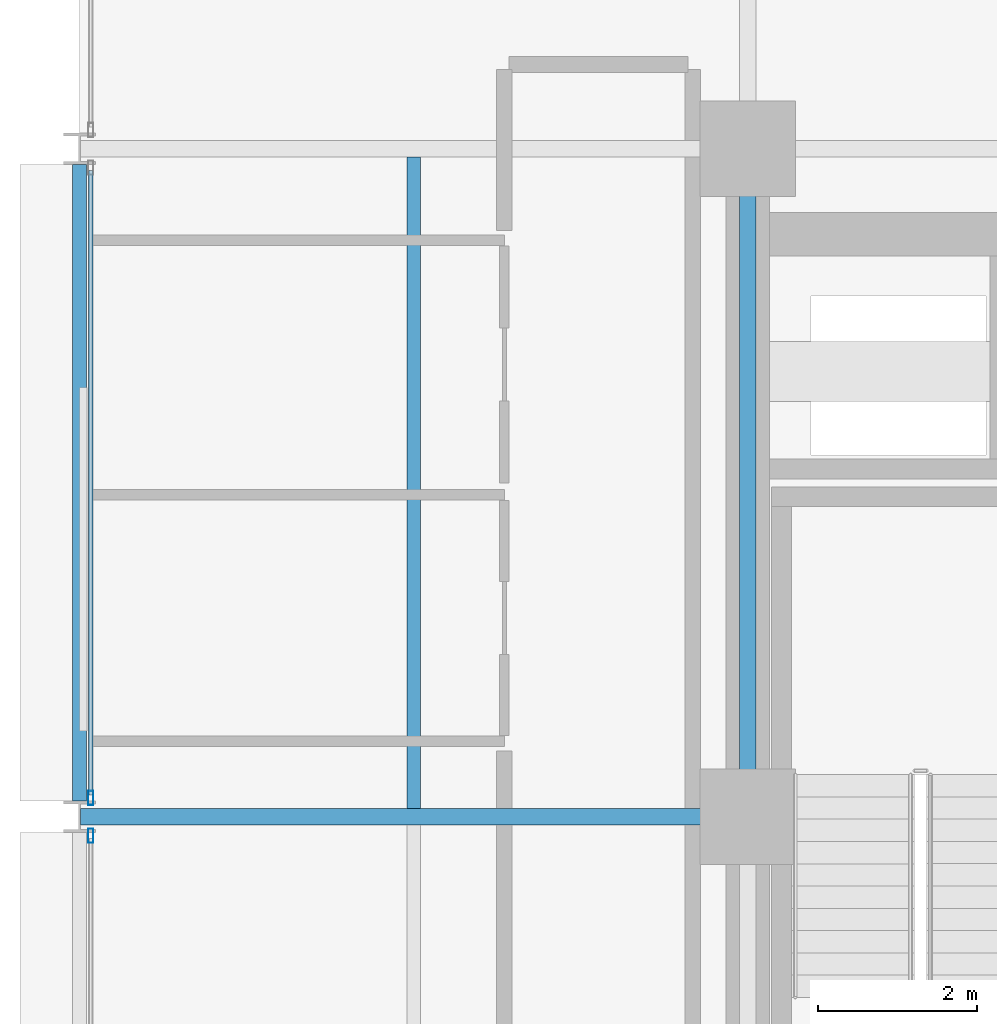
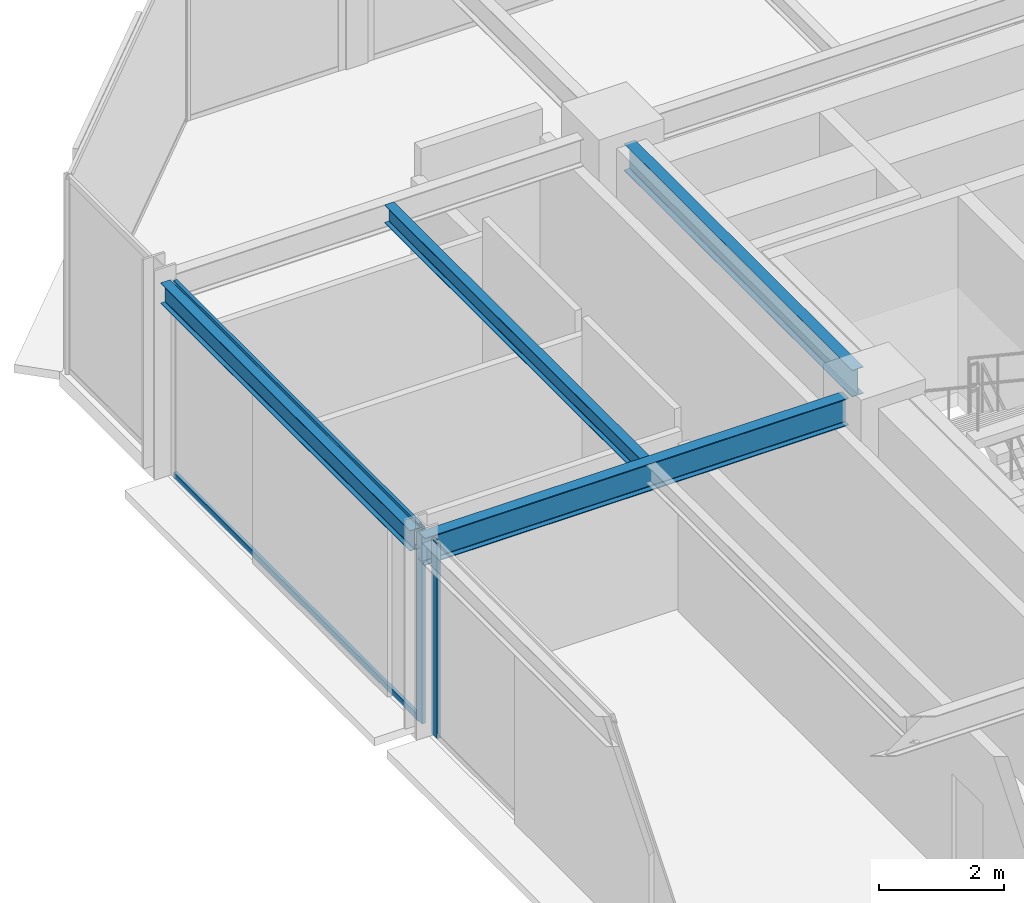
# One storey, part 23 of 39: 4 beams, 4 members, 2 elements without a shape of their own.
"""IFC4 building model written with IfcOpenShell, lengths in metres."""

from ifc_helpers import new_model, si_unit, direction, frame, origin, origin_2d, place, context, subcontext, project, spatial, hollow_rectangle, i_section, extrude, material, layer, layer_set, material_profile, profile_set, type_object, element, aggregate, save


model = new_model("IFC4")

# Units and contexts
model_context = context("Model", 3, precision=1e-05, world=origin(), true_north=direction((0.0, 1.0)))
body_context = subcontext(model_context, "Body", "Model", "MODEL_VIEW")
ifc_project = project(units=[si_unit("LENGTHUNIT", "METRE"), si_unit("AREAUNIT", "SQUARE_METRE"), si_unit("VOLUMEUNIT", "CUBIC_METRE"), si_unit("PLANEANGLEUNIT", "RADIAN"), si_unit("MASSUNIT", "GRAM", prefix="KILO")], contexts=[model_context])

# Site, building, storey
site_placement = place(None, origin())
site = spatial("IfcSite", under=ifc_project, at=site_placement, CompositionType="ELEMENT")
building_placement = place(site_placement, origin())
building = spatial("IfcBuilding", under=site, at=building_placement, Name="Nerrivon Quay Data Exchange", CompositionType="ELEMENT")
storey_placement = place(building_placement, frame((0.0, 0.0, 104.89990234375)))
storey = spatial("IfcBuildingStorey", under=building, at=storey_placement, Name="L24", CompositionType="ELEMENT", Elevation=104.89990234375)

# Beams
ifc_material_1 = material(Name="Steel Grade 350", Category="steel")
ifc_material_profile_1 = material_profile(ifc_material_1, i_section(OverallWidth=0.208984375, OverallDepth=0.532958984375, WebThickness=0.01025390625, FlangeThickness=0.015625, FilletRadius=0.013916015625, at=origin_2d()), Name="530UB92.4")
ifc_profile_set_1 = profile_set([ifc_material_profile_1], Name="Steel Grade 350")
beam_type_1 = type_object("IfcBeamType", Name="BM-G3-530UB92", PredefinedType="BEAM", material=ifc_profile_set_1)
beam_1_placement = place(storey_placement, frame((0.012451171875, 33.60009765625, 3.55859375), z_axis=(1.0, 0.0, 0.0), x_axis=(0.0, 1.0, 0.0)))
element("IfcBeam", 1, at=beam_1_placement, inside=storey, type_object=beam_type_1, Name="L24 EW Girder Y=33.6 (0.0..8.4)", PredefinedType="BEAM", context=body_context, shape_type="SweptSolid", body=[
    extrude(i_section(OverallWidth=0.208984375, OverallDepth=0.532958984375, WebThickness=0.01025390625, FlangeThickness=0.015625, FilletRadius=0.013916015625, at=origin_2d()), origin(), (0.0, 0.0, 1.0), 7.84765625),
])
ifc_material_profile_2 = material_profile(ifc_material_1, i_section(OverallWidth=0.208984375, OverallDepth=0.528076171875, WebThickness=0.009521484375, FlangeThickness=0.01318359375, FilletRadius=0.013916015625, at=origin_2d()), Name="530UB82.0")
ifc_profile_set_2 = profile_set([ifc_material_profile_2], Name="Steel Grade 350")
beam_type_2 = type_object("IfcBeamType", Name="BM-G4-530UB82", PredefinedType="BEAM", material=ifc_profile_set_2)
beam_2_placement = place(storey_placement, frame((8.39990234375, 34.139892578125, 3.56103515625), z_axis=(0.0, 1.0, 0.0), x_axis=(-1.0, 0.0, 0.0)))
element("IfcBeam", 2, at=beam_2_placement, inside=storey, type_object=beam_type_2, Name="L24 NS Girder X=8.4 (33.6..42.0)", PredefinedType="BEAM", context=body_context, shape_type="SweptSolid", body=[
    extrude(i_section(OverallWidth=0.208984375, OverallDepth=0.528076171875, WebThickness=0.009521484375, FlangeThickness=0.01318359375, FilletRadius=0.013916015625, at=origin_2d()), origin(), (0.0, 0.0, 1.0), 7.320068359375),
])
ifc_material_profile_3 = material_profile(ifc_material_1, i_section(OverallWidth=0.1708984375, OverallDepth=0.35595703125, WebThickness=0.00732421875, FlangeThickness=0.011474609375, FilletRadius=0.011474609375, at=origin_2d()), Name="360UB50.7")
ifc_profile_set_3 = profile_set([ifc_material_profile_3], Name="Steel Grade 350")
beam_type_3 = type_object("IfcBeamType", Name="BM-J4-360UB51", PredefinedType="JOIST", material=ifc_profile_set_3)
beam_3_placement = place(storey_placement, frame((4.199951171875, 33.70458984375, 3.647216796875), z_axis=(0.0, 1.0, 0.0), x_axis=(-1.0, 0.0, 0.0)))
element("IfcBeam", 3, at=beam_3_placement, inside=storey, type_object=beam_type_3, Name="L24 Secondary Joist X=4.2 (33.6..42.0)", PredefinedType="JOIST", context=body_context, shape_type="SweptSolid", body=[
    extrude(i_section(OverallWidth=0.1708984375, OverallDepth=0.35595703125, WebThickness=0.00732421875, FlangeThickness=0.011474609375, FilletRadius=0.011474609375, at=origin_2d()), origin(), (0.0, 0.0, 1.0), 8.19091796875),
])
ifc_material_profile_4 = material_profile(ifc_material_1, i_section(OverallWidth=0.177978515625, OverallDepth=0.403076171875, WebThickness=0.007568359375, FlangeThickness=0.010986328125, FilletRadius=0.011474609375, at=origin_2d()), Name="410UB53.7")
ifc_profile_set_4 = profile_set([ifc_material_profile_4], Name="Steel Grade 350")
beam_type_4 = type_object("IfcBeamType", Name="BM-SP2-410UB54", PredefinedType="SPANDREL", material=ifc_profile_set_4)
beam_4_placement = place(storey_placement, frame((0.0, 33.800048828125, 3.62353515625), z_axis=(0.0, 1.0, 0.0), x_axis=(-1.0, 0.0, 0.0)))
element("IfcBeam", 4, at=beam_4_placement, inside=storey, type_object=beam_type_4, Name="L24 NS Girder X=0.0 (33.6..42.0)", PredefinedType="SPANDREL", context=body_context, shape_type="SweptSolid", body=[
    extrude(i_section(OverallWidth=0.177978515625, OverallDepth=0.403076171875, WebThickness=0.007568359375, FlangeThickness=0.010986328125, FilletRadius=0.011474609375, at=origin_2d()), origin(), (0.0, 0.0, 1.0), 8.0),
])

# Curtain wall, member
ifc_material_2 = material(Name="Anodised aluminium 6063-T6", Category="aluminium")
ifc_layer = layer(ifc_material_2, 0.2099609375)
ifc_layer_set = layer_set([ifc_layer], Name="Anodised aluminium 6063-T6")
curtain_wall_type = type_object("IfcCurtainWallType", Name="CW-SYS-02", PredefinedType="NOTDEFINED", material=ifc_layer_set)
curtain_wall_1_placement = place(storey_placement, origin())
curtain_wall_1 = element("IfcCurtainWall", 5, at=curtain_wall_1_placement, inside=storey, type_object=curtain_wall_type, Name="L24 Unitised Curtain Wall 20", PredefinedType="NOTDEFINED")
ifc_material_profile_5 = material_profile(ifc_material_2, hollow_rectangle(XDim=0.06494140625, YDim=0.179931640625, WallThickness=0.00341796875, at=origin_2d()), Name="ALU-MULL-180x65")
ifc_profile_set_5 = profile_set([ifc_material_profile_5], Name="Anodised aluminium 6063-T6")
member_type_1 = type_object("IfcMemberType", Name="CWM-180x65", PredefinedType="MULLION", material=ifc_profile_set_5)
member_1_placement = place(storey_placement, frame((0.139892578125, 33.362548828125, 0.0), z_axis=(0.0, 0.0, 1.0), x_axis=(-1.0, 0.0, 0.0)))
member_1 = element("IfcMember", 6, at=member_1_placement, type_object=member_type_1, Name="CW02 mullion 2", PredefinedType="MULLION", context=body_context, shape_type="SweptSolid", body=[
    extrude(hollow_rectangle(XDim=0.06494140625, YDim=0.179931640625, WallThickness=0.00341796875, at=origin_2d()), origin(), (0.0, 0.0, 1.0), 3.8251953125),
])
aggregate(curtain_wall_1, [member_1])

# Curtain wall, members
curtain_wall_2_placement = place(storey_placement, origin())
curtain_wall_2 = element("IfcCurtainWall", 7, at=curtain_wall_2_placement, inside=storey, type_object=curtain_wall_type, Name="L24 Unitised Curtain Wall 21", PredefinedType="NOTDEFINED")
member_2_placement = place(storey_placement, frame((0.139892578125, 33.83740234375, 0.0), z_axis=(0.0, 0.0, 1.0), x_axis=(-1.0, 0.0, 0.0)))
member_2 = element("IfcMember", 8, at=member_2_placement, type_object=member_type_1, Name="CW02 mullion 1", PredefinedType="MULLION", context=body_context, shape_type="SweptSolid", body=[
    extrude(hollow_rectangle(XDim=0.06494140625, YDim=0.179931640625, WallThickness=0.00341796875, at=origin_2d()), origin(), (0.0, 0.0, 1.0), 3.8251953125),
])
ifc_material_profile_6 = material_profile(ifc_material_2, hollow_rectangle(XDim=0.06005859375, YDim=0.1201171875, WallThickness=0.003173828125, at=origin_2d()), Name="ALU-TRAN-120x60")
ifc_profile_set_6 = profile_set([ifc_material_profile_6], Name="Anodised aluminium 6063-T6")
member_type_2 = type_object("IfcMemberType", Name="CWT-120x60", PredefinedType="USERDEFINED", material=ifc_profile_set_6)
member_3_placement = place(storey_placement, frame((0.139892578125, 33.875, 0.03271484375), z_axis=(0.0, 1.0, 0.0), x_axis=(-1.0, 0.0, 0.0)))
member_3 = element("IfcMember", 9, at=member_3_placement, type_object=member_type_2, Name="CW02 transom 1.1", ObjectType="TRANSOM", PredefinedType="USERDEFINED", context=body_context, shape_type="SweptSolid", body=[
    extrude(hollow_rectangle(XDim=0.06005859375, YDim=0.1201171875, WallThickness=0.003173828125, at=origin_2d()), origin(), (0.0, 0.0, 1.0), 7.85009765625),
])
member_4_placement = place(storey_placement, frame((0.139892578125, 33.875, 3.79248046875), z_axis=(0.0, 1.0, 0.0), x_axis=(-1.0, 0.0, 0.0)))
member_4 = element("IfcMember", 10, at=member_4_placement, type_object=member_type_2, Name="CW02 transom 1.2", ObjectType="TRANSOM", PredefinedType="USERDEFINED", context=body_context, shape_type="SweptSolid", body=[
    extrude(hollow_rectangle(XDim=0.06005859375, YDim=0.1201171875, WallThickness=0.003173828125, at=origin_2d()), origin(), (0.0, 0.0, 1.0), 7.85009765625),
])
aggregate(curtain_wall_2, [member_2, member_3, member_4])

save(model, "model.ifc")
